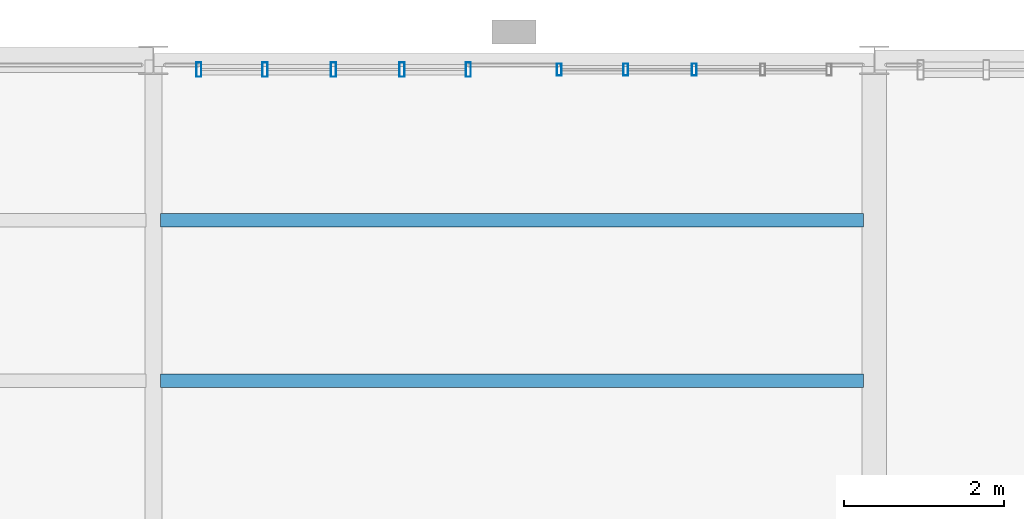
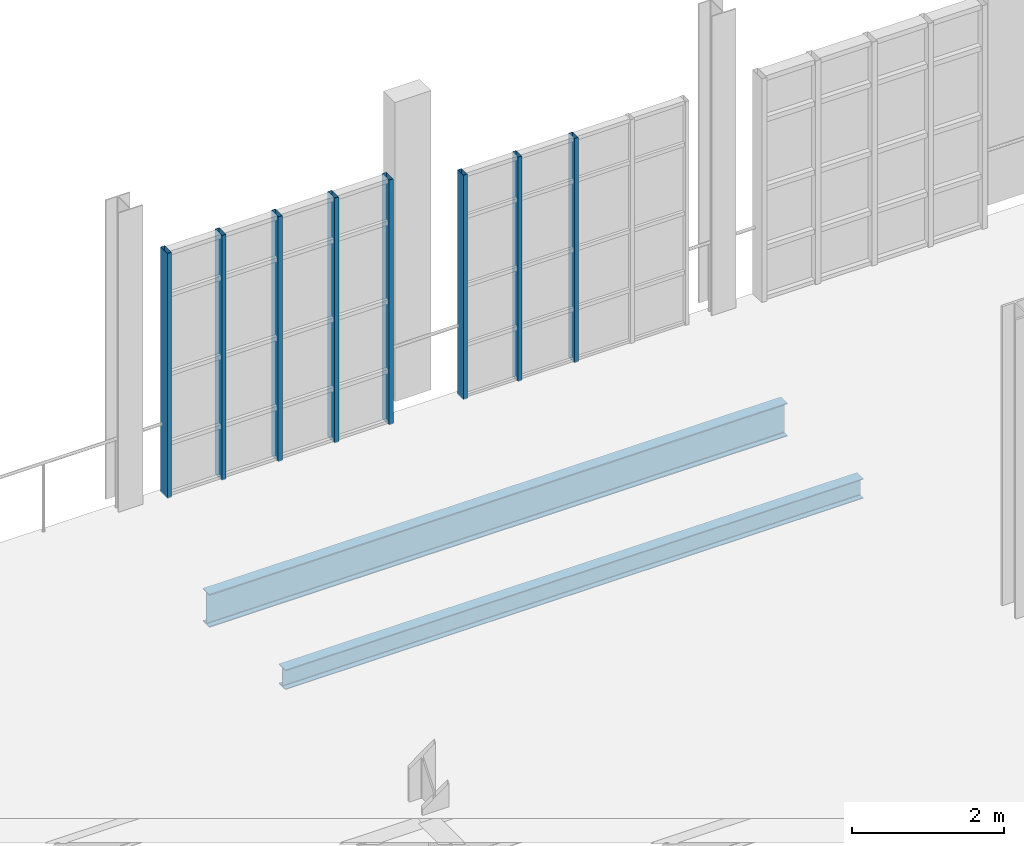
# One storey, part 68 of 118: 8 members, 2 beams, 2 elements without a shape of their own.
"""IFC4 building model written with IfcOpenShell, lengths in metres."""

from ifc_helpers import new_model, si_unit, direction, frame, origin, origin_2d, place, context, subcontext, project, spatial, hollow_rectangle, i_section, extrude, material, layer, layer_set, material_profile, profile_set, type_object, element, aggregate, save


model = new_model("IFC4")

# Units and contexts
model_context = context("Model", 3, precision=1e-05, world=origin(), true_north=direction((0.0, 1.0)))
body_context = subcontext(model_context, "Body", "Model", "MODEL_VIEW")
ifc_project = project(units=[si_unit("LENGTHUNIT", "METRE"), si_unit("AREAUNIT", "SQUARE_METRE"), si_unit("VOLUMEUNIT", "CUBIC_METRE"), si_unit("PLANEANGLEUNIT", "RADIAN"), si_unit("MASSUNIT", "GRAM", prefix="KILO"), si_unit("THERMODYNAMICTEMPERATUREUNIT", "KELVIN"), si_unit("POWERUNIT", "WATT")], contexts=[model_context])

# Site, building, storey
site_placement = place(None, origin())
site = spatial("IfcSite", under=ifc_project, at=site_placement, CompositionType="ELEMENT")
building_placement = place(site_placement, origin())
building = spatial("IfcBuilding", under=site, at=building_placement, Name="Zelmaris Science Centre", CompositionType="ELEMENT")
storey_placement = place(building_placement, frame((0.0, 0.0, 15.60009765625)))
storey = spatial("IfcBuildingStorey", under=building, at=storey_placement, Name="L03", CompositionType="ELEMENT", Elevation=15.60009765625)

# Curtain wall, members
ifc_material_1 = material(Name="Anodised architectural aluminium 6063-T6", Category="aluminium")
ifc_layer_1 = layer(ifc_material_1, 0.219970703125, Name="Anodised architectural aluminium 6063-T6")
ifc_layer_set_1 = layer_set([ifc_layer_1], Name="Anodised architectural aluminium 6063-T6")
curtain_wall_type_1 = type_object("IfcCurtainWallType", Name="Curtain Wall CW-04", PredefinedType="USERDEFINED", material=ifc_layer_set_1)
curtain_wall_1_placement = place(storey_placement, origin())
curtain_wall_1 = element("IfcCurtainWall", 1, at=curtain_wall_1_placement, inside=storey, type_object=curtain_wall_type_1, Name="L03 Unitised curtain wall 288", ObjectType="GLAZED CURTAIN WALL", PredefinedType="USERDEFINED")
ifc_material_profile_1 = material_profile(ifc_material_1, hollow_rectangle(XDim=0.06005859375, YDim=0.14990234375, WallThickness=0.00341796875, at=origin_2d()), Name="ALU-MUL-60X150")
ifc_profile_set_1 = profile_set([ifc_material_profile_1], Name="Anodised architectural aluminium 6063-T6")
member_type_1 = type_object("IfcMemberType", Name="ALU-MUL-60X150", PredefinedType="MULLION", material=ifc_profile_set_1)
member_1_placement = place(storey_placement, frame((95.06591796875, 87.8798828125, -0.01513671875), z_axis=(0.0, 0.0, 1.0), x_axis=(1.0, 0.0, 0.0)))
member_1 = element("IfcMember", 2, at=member_1_placement, type_object=member_type_1, Name="CW-04 mullion 1", PredefinedType="MULLION", context=body_context, shape_type="SweptSolid", body=[
    extrude(hollow_rectangle(XDim=0.06005859375, YDim=0.14990234375, WallThickness=0.00341796875, at=origin_2d()), origin(), (0.0, 0.0, 1.0), 3.60302734375),
])
member_2_placement = place(storey_placement, frame((95.89501953125, 87.8798828125, -0.01513671875), z_axis=(0.0, 0.0, 1.0), x_axis=(1.0, 0.0, 0.0)))
member_2 = element("IfcMember", 3, at=member_2_placement, type_object=member_type_1, Name="CW-04 mullion 2", PredefinedType="MULLION", context=body_context, shape_type="SweptSolid", body=[
    extrude(hollow_rectangle(XDim=0.06005859375, YDim=0.14990234375, WallThickness=0.00341796875, at=origin_2d()), origin(), (0.0, 0.0, 1.0), 3.60302734375),
])
member_3_placement = place(storey_placement, frame((96.75, 87.8798828125, -0.01513671875), z_axis=(0.0, 0.0, 1.0), x_axis=(1.0, 0.0, 0.0)))
member_3 = element("IfcMember", 4, at=member_3_placement, type_object=member_type_1, Name="CW-04 mullion 3", PredefinedType="MULLION", context=body_context, shape_type="SweptSolid", body=[
    extrude(hollow_rectangle(XDim=0.06005859375, YDim=0.14990234375, WallThickness=0.00341796875, at=origin_2d()), origin(), (0.0, 0.0, 1.0), 3.60302734375),
])
aggregate(curtain_wall_1, [member_1, member_2, member_3])

ifc_layer_2 = layer(ifc_material_1, 0.2099609375, Name="Anodised architectural aluminium 6063-T6")
ifc_layer_set_2 = layer_set([ifc_layer_2], Name="Anodised architectural aluminium 6063-T6")
curtain_wall_type_2 = type_object("IfcCurtainWallType", Name="Curtain Wall CW-03", PredefinedType="USERDEFINED", material=ifc_layer_set_2)
curtain_wall_2_placement = place(storey_placement, origin())
curtain_wall_2 = element("IfcCurtainWall", 5, at=curtain_wall_2_placement, inside=storey, type_object=curtain_wall_type_2, Name="L03 Unitised curtain wall 287", ObjectType="GLAZED CURTAIN WALL", PredefinedType="USERDEFINED")
ifc_material_profile_2 = material_profile(ifc_material_1, hollow_rectangle(XDim=0.06494140625, YDim=0.179931640625, WallThickness=0.00390625, at=origin_2d()), Name="ALU-MUL-65X180")
ifc_profile_set_2 = profile_set([ifc_material_profile_2], Name="Anodised architectural aluminium 6063-T6")
member_type_2 = type_object("IfcMemberType", Name="ALU-MUL-65X180", PredefinedType="MULLION", material=ifc_profile_set_2)
member_4_placement = place(storey_placement, frame((90.568603515625, 87.8798828125, -0.01513671875), z_axis=(0.0, 0.0, 1.0), x_axis=(1.0, 0.0, 0.0)))
member_4 = element("IfcMember", 6, at=member_4_placement, type_object=member_type_2, Name="CW-03 mullion 1", PredefinedType="MULLION", context=body_context, shape_type="SweptSolid", body=[
    extrude(hollow_rectangle(XDim=0.06494140625, YDim=0.179931640625, WallThickness=0.00390625, at=origin_2d()), origin(), (0.0, 0.0, 1.0), 3.93115234375),
])
member_5_placement = place(storey_placement, frame((91.39501953125, 87.8798828125, -0.01513671875), z_axis=(0.0, 0.0, 1.0), x_axis=(1.0, 0.0, 0.0)))
member_5 = element("IfcMember", 7, at=member_5_placement, type_object=member_type_2, Name="CW-03 mullion 2", PredefinedType="MULLION", context=body_context, shape_type="SweptSolid", body=[
    extrude(hollow_rectangle(XDim=0.06494140625, YDim=0.179931640625, WallThickness=0.00390625, at=origin_2d()), origin(), (0.0, 0.0, 1.0), 3.93115234375),
])
member_6_placement = place(storey_placement, frame((92.25, 87.8798828125, -0.01513671875), z_axis=(0.0, 0.0, 1.0), x_axis=(1.0, 0.0, 0.0)))
member_6 = element("IfcMember", 8, at=member_6_placement, type_object=member_type_2, Name="CW-03 mullion 3", PredefinedType="MULLION", context=body_context, shape_type="SweptSolid", body=[
    extrude(hollow_rectangle(XDim=0.06494140625, YDim=0.179931640625, WallThickness=0.00390625, at=origin_2d()), origin(), (0.0, 0.0, 1.0), 3.93115234375),
])
member_7_placement = place(storey_placement, frame((93.10498046875, 87.8798828125, -0.01513671875), z_axis=(0.0, 0.0, 1.0), x_axis=(1.0, 0.0, 0.0)))
member_7 = element("IfcMember", 9, at=member_7_placement, type_object=member_type_2, Name="CW-03 mullion 4", PredefinedType="MULLION", context=body_context, shape_type="SweptSolid", body=[
    extrude(hollow_rectangle(XDim=0.06494140625, YDim=0.179931640625, WallThickness=0.00390625, at=origin_2d()), origin(), (0.0, 0.0, 1.0), 3.93115234375),
])
member_8_placement = place(storey_placement, frame((93.931396484375, 87.8798828125, -0.01513671875), z_axis=(0.0, 0.0, 1.0), x_axis=(1.0, 0.0, 0.0)))
member_8 = element("IfcMember", 10, at=member_8_placement, type_object=member_type_2, Name="CW-03 mullion 5", PredefinedType="MULLION", context=body_context, shape_type="SweptSolid", body=[
    extrude(hollow_rectangle(XDim=0.06494140625, YDim=0.179931640625, WallThickness=0.00390625, at=origin_2d()), origin(), (0.0, 0.0, 1.0), 3.93115234375),
])
aggregate(curtain_wall_2, [member_4, member_5, member_6, member_7, member_8])

# Beams
ifc_material_2 = material(Name="Steel ASTM A992 Grade 50", Category="steel")
ifc_material_profile_3 = material_profile(ifc_material_2, i_section(OverallWidth=0.16796875, OverallDepth=0.532958984375, WebThickness=0.01025390625, FlangeThickness=0.0166015625, FilletRadius=0.013916015625, at=origin_2d()), Name="W21X57")
ifc_profile_set_3 = profile_set([ifc_material_profile_3], Name="Steel ASTM A992 Grade 50")
beam_type_1 = type_object("IfcBeamType", Name="Beam J-01 W21X57", PredefinedType="JOIST", material=ifc_profile_set_3)
beam_1_placement = place(storey_placement, frame((90.090576171875, 86.0, -0.526611328125), z_axis=(1.0, 0.0, 0.0), x_axis=(0.0, 1.0, 0.0)))
element("IfcBeam", 11, at=beam_1_placement, inside=storey, type_object=beam_type_1, Name="L03 Composite floor joist 342", PredefinedType="JOIST", context=body_context, shape_type="SweptSolid", body=[
    extrude(i_section(OverallWidth=0.16796875, OverallDepth=0.532958984375, WebThickness=0.01025390625, FlangeThickness=0.0166015625, FilletRadius=0.013916015625, at=origin_2d()), origin(), (0.0, 0.0, 1.0), 8.77197265625),
])
ifc_material_profile_4 = material_profile(ifc_material_2, i_section(OverallWidth=0.1669921875, OverallDepth=0.318115234375, WebThickness=0.007568359375, FlangeThickness=0.01318359375, FilletRadius=0.011962890625, at=origin_2d()), Name="W12X35")
ifc_profile_set_4 = profile_set([ifc_material_profile_4], Name="Steel ASTM A992 Grade 50")
beam_type_2 = type_object("IfcBeamType", Name="Beam J-09 W12X35", PredefinedType="JOIST", material=ifc_profile_set_4)
beam_2_placement = place(storey_placement, frame((90.090576171875, 84.0, -0.419189453125), z_axis=(1.0, 0.0, 0.0), x_axis=(0.0, 1.0, 0.0)))
element("IfcBeam", 12, at=beam_2_placement, inside=storey, type_object=beam_type_2, Name="L03 Composite floor joist 341", PredefinedType="JOIST", context=body_context, shape_type="SweptSolid", body=[
    extrude(i_section(OverallWidth=0.1669921875, OverallDepth=0.318115234375, WebThickness=0.007568359375, FlangeThickness=0.01318359375, FilletRadius=0.011962890625, at=origin_2d()), origin(), (0.0, 0.0, 1.0), 8.77197265625),
])

save(model, "model.ifc")
